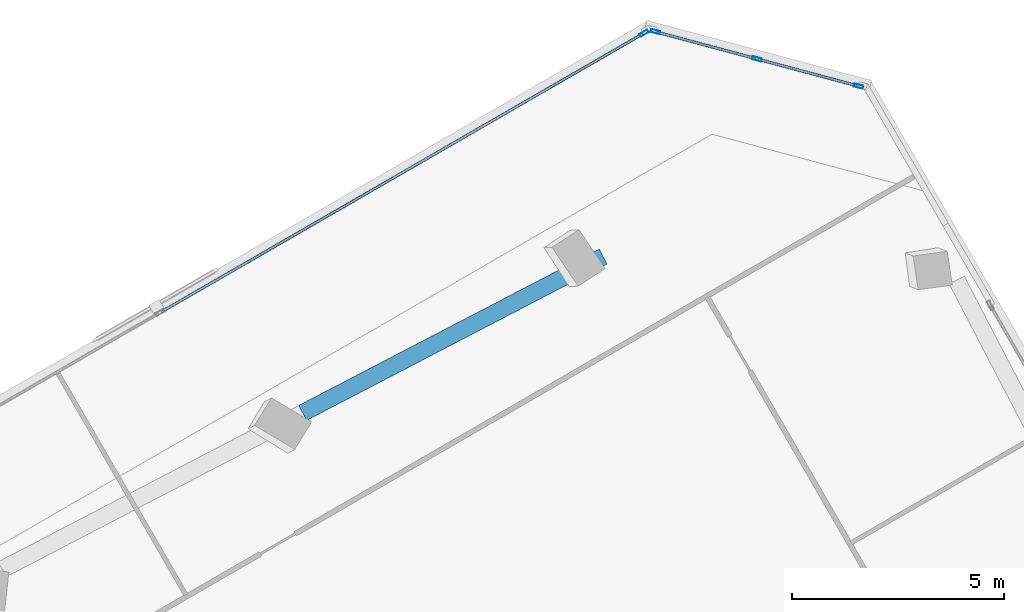
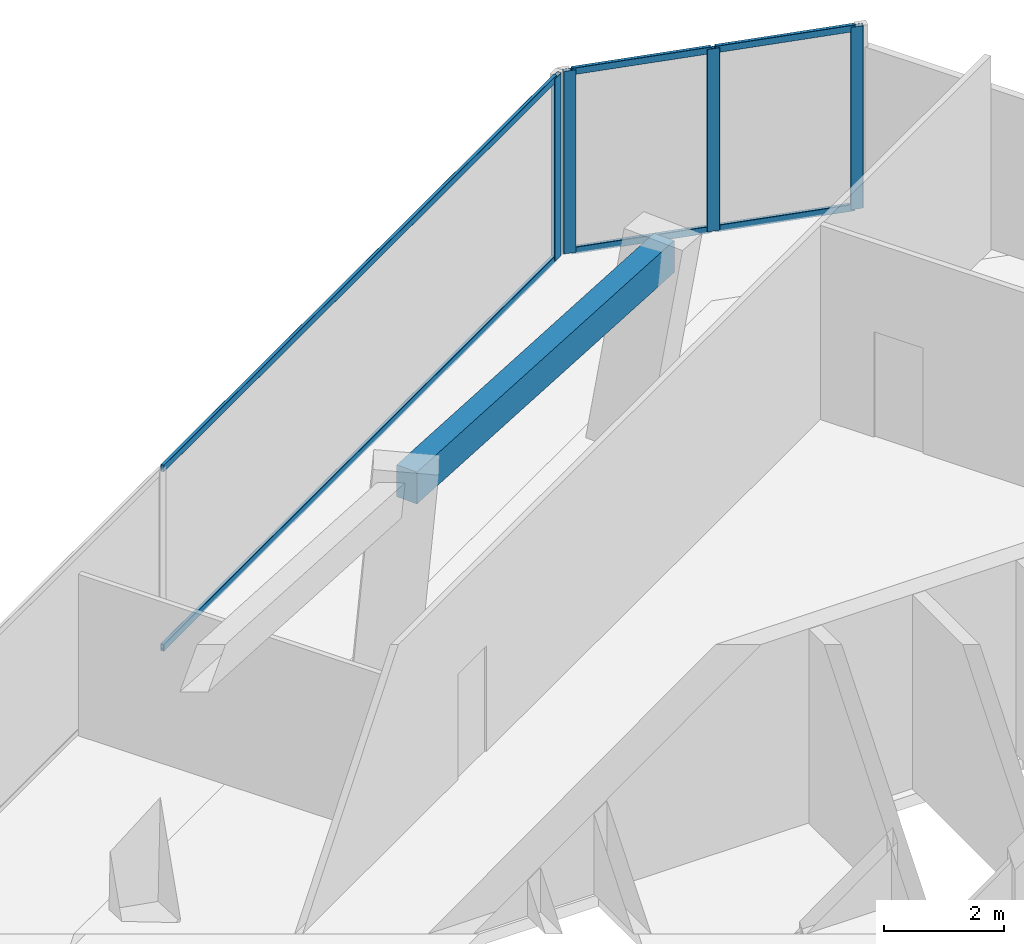
# One storey, part 8 of 15: 10 members, 1 beam, 2 elements without a shape of their own.
"""IFC4 building model written with IfcOpenShell, lengths in metres."""

from ifc_helpers import new_model, si_unit, direction, frame, origin, origin_2d, place, context, subcontext, project, spatial, rectangle, hollow_rectangle, extrude, source, transform, mapped, material, material_profile, profile_set, type_object, element, aggregate, save


model = new_model("IFC4")

# Units and contexts
model_context = context("Model", 3, precision=1e-05, world=origin(), true_north=direction((0.0, 1.0)))
body_context = subcontext(model_context, "Body", "Model", "MODEL_VIEW")
ifc_project = project(units=[si_unit("LENGTHUNIT", "METRE"), si_unit("AREAUNIT", "SQUARE_METRE"), si_unit("VOLUMEUNIT", "CUBIC_METRE"), si_unit("PLANEANGLEUNIT", "RADIAN"), si_unit("MASSUNIT", "GRAM", prefix="KILO")], contexts=[model_context])

# Site, building, storey
site_placement = place(None, origin())
site = spatial("IfcSite", under=ifc_project, at=site_placement, CompositionType="ELEMENT")
building_placement = place(site_placement, origin())
building = spatial("IfcBuilding", under=site, at=building_placement, Name="Torre Montelarca", CompositionType="ELEMENT")
storey_placement = place(building_placement, frame((0.0, 0.0, 324.0)))
storey = spatial("IfcBuildingStorey", under=building, at=storey_placement, Name="L73", CompositionType="ELEMENT", Elevation=324.0)

# Beam
ifc_material_1 = material(Name="Concrete C40/50", Category="concrete")
ifc_material_profile_1 = material_profile(ifc_material_1, rectangle(XDim=0.39990234375, YDim=0.64990234375, at=origin_2d()), Name="RCB400X650", Category="concrete")
ifc_profile_set_1 = profile_set([ifc_material_profile_1], Name="Concrete C40/50")
beam_type = type_object("IfcBeamType", Name="BM-SP-RC650-EXT", PredefinedType="SPANDREL", material=ifc_profile_set_1)
shared_shape_1 = source(origin(), body_context, "Body", "SweptSolid", [
    extrude(rectangle(XDim=0.39990234375, YDim=0.64990234375, at=origin_2d()), origin(), (0.0, 0.0, 1.0), 8.000244140625),
])
beam_placement = place(storey_placement, frame((13.719482421875, 46.946044921875, 3.635009765625), z_axis=(0.887008356996, 0.461753369906, 0.0), x_axis=(-0.461753369906, 0.887008356996, 0.0)))
element("IfcBeam", 1, at=beam_placement, inside=storey, type_object=beam_type, Name="L73 Grid Girder Y 32.0-40.0 at X=4.7", PredefinedType="SPANDREL", context=body_context, shape_type="MappedRepresentation", body=[
    mapped(shared_shape_1, transform((0.0, 0.0, 0.0), scale=1.0)),
])

# Curtain wall, members
ifc_material_2 = material(Name="Insulated low-E laminated glass", Category="glass")
curtain_wall_type = type_object("IfcCurtainWallType", Name="CW-SYS-Z4", PredefinedType="USERDEFINED", material=ifc_material_2)
curtain_wall_1_placement = place(storey_placement, origin())
curtain_wall_1 = element("IfcCurtainWall", 2, at=curtain_wall_1_placement, inside=storey, type_object=curtain_wall_type, Name="L73 Curtain Wall Run CW-T3-L73-E09-B1", ObjectType="UNITISED GLAZING", PredefinedType="USERDEFINED")
ifc_material_3 = material(Name="Anodised aluminium AA 6063-T6", Category="aluminium")
ifc_material_profile_2 = material_profile(ifc_material_3, hollow_rectangle(XDim=0.074951171875, YDim=0.219970703125, WallThickness=0.0048828125, InnerFilletRadius=0.0048828125, OuterFilletRadius=0.010009765625, at=origin_2d()), Name="ALU75X220X5", Category="aluminium")
ifc_profile_set_2 = profile_set([ifc_material_profile_2], Name="Anodised aluminium AA 6063-T6")
member_type_1 = type_object("IfcMemberType", Name="CWM-ALU220", PredefinedType="MULLION", material=ifc_profile_set_2)
shared_shape_2 = source(origin(), body_context, "Body", "SweptSolid", [
    extrude(hollow_rectangle(XDim=0.074951171875, YDim=0.219970703125, WallThickness=0.0048828125, InnerFilletRadius=0.0048828125, OuterFilletRadius=0.010009765625, at=origin_2d()), origin(), (0.0, 0.0, 1.0), 3.719970703125),
])
member_1_placement = place(storey_placement, frame((26.849365234375, 54.662841796875, 0.0), z_axis=(0.0, 0.0, 1.0), x_axis=(-0.258815391137, -0.965926805359, 0.0)))
member_1 = element("IfcMember", 3, at=member_1_placement, type_object=member_type_1, Name="CW mullion 1", PredefinedType="MULLION", context=body_context, shape_type="MappedRepresentation", body=[
    mapped(shared_shape_2, transform((0.0, 0.0, 0.0), scale=1.0)),
])
member_2_placement = place(storey_placement, frame((24.450439453125, 55.3056640625, 0.0), z_axis=(0.0, 0.0, 1.0), x_axis=(-0.258815391137, -0.965926805359, 0.0)))
member_2 = element("IfcMember", 4, at=member_2_placement, type_object=member_type_1, Name="CW mullion 2", PredefinedType="MULLION", context=body_context, shape_type="MappedRepresentation", body=[
    mapped(shared_shape_2, transform((0.0, 0.0, 0.0), scale=1.0)),
])
member_3_placement = place(storey_placement, frame((22.051513671875, 55.948486328125, 0.0), z_axis=(0.0, 0.0, 1.0), x_axis=(-0.258815391137, -0.965926805359, 0.0)))
member_3 = element("IfcMember", 5, at=member_3_placement, type_object=member_type_1, Name="CW mullion 3", PredefinedType="MULLION", context=body_context, shape_type="MappedRepresentation", body=[
    mapped(shared_shape_2, transform((0.0, 0.0, 0.0), scale=1.0)),
])

# Curtain wall, member
curtain_wall_2_placement = place(storey_placement, origin())
curtain_wall_2 = element("IfcCurtainWall", 6, at=curtain_wall_2_placement, inside=storey, type_object=curtain_wall_type, Name="L73 Curtain Wall Run CW-T3-L73-E10-B1", ObjectType="UNITISED GLAZING", PredefinedType="USERDEFINED")
member_4_placement = place(storey_placement, frame((21.777587890625, 55.912353515625, 0.0), z_axis=(0.0, 0.0, 1.0), x_axis=(0.500000111201, -0.866025339582, 0.0)))
member_4 = element("IfcMember", 7, at=member_4_placement, type_object=member_type_1, Name="CW mullion 1", PredefinedType="MULLION", context=body_context, shape_type="MappedRepresentation", body=[
    mapped(shared_shape_2, transform((0.0, 0.0, 0.0), scale=1.0)),
])

# Member
ifc_material_profile_3 = material_profile(ifc_material_3, hollow_rectangle(XDim=0.06494140625, YDim=0.139892578125, WallThickness=0.00390625, InnerFilletRadius=0.00390625, OuterFilletRadius=0.008056640625, at=origin_2d()), Name="ALU65X140X4", Category="aluminium")
ifc_profile_set_3 = profile_set([ifc_material_profile_3], Name="Anodised aluminium AA 6063-T6")
member_type_2 = type_object("IfcMemberType", Name="CWT-ALU140", PredefinedType="USERDEFINED", material=ifc_profile_set_3)
shared_shape_3 = source(origin(), body_context, "Body", "SweptSolid", [
    extrude(hollow_rectangle(XDim=0.06494140625, YDim=0.139892578125, WallThickness=0.00390625, InnerFilletRadius=0.00390625, OuterFilletRadius=0.008056640625, at=origin_2d()), origin(), (0.0, 0.0, 1.0), 2.40869140625),
])
member_5_placement = place(storey_placement, frame((24.414306640625, 55.3154296875, 0.032470703125), z_axis=(-0.965939908624, 0.258766483391, 0.0), x_axis=(-0.258766483391, -0.965939908624, 0.0)))
member_5 = element("IfcMember", 8, at=member_5_placement, type_object=member_type_2, Name="CW transom 2.1", ObjectType="TRANSOM", PredefinedType="USERDEFINED", context=body_context, shape_type="MappedRepresentation", body=[
    mapped(shared_shape_3, transform((0.0, 0.0, 0.0), scale=1.0)),
])

member_6_placement = place(storey_placement, frame((24.414306640625, 55.3154296875, 3.6875), z_axis=(-0.965939908624, 0.258766483391, 0.0), x_axis=(-0.258766483391, -0.965939908624, 0.0)))
member_6 = element("IfcMember", 9, at=member_6_placement, type_object=member_type_2, Name="CW transom 2.2", ObjectType="TRANSOM", PredefinedType="USERDEFINED", context=body_context, shape_type="MappedRepresentation", body=[
    mapped(shared_shape_3, transform((0.0, 0.0, 0.0), scale=1.0)),
])

shared_shape_4 = source(origin(), body_context, "Body", "SweptSolid", [
    extrude(hollow_rectangle(XDim=0.06494140625, YDim=0.139892578125, WallThickness=0.00390625, InnerFilletRadius=0.00390625, OuterFilletRadius=0.008056640625, at=origin_2d()), origin(), (0.0, 0.0, 1.0), 2.408447265625),
])
member_7_placement = place(storey_placement, frame((26.813232421875, 54.672607421875, 0.032470703125), z_axis=(-0.965933120699, 0.258791820458, 0.0), x_axis=(-0.258791820458, -0.965933120699, 0.0)))
member_7 = element("IfcMember", 10, at=member_7_placement, type_object=member_type_2, Name="CW transom 1.1", ObjectType="TRANSOM", PredefinedType="USERDEFINED", context=body_context, shape_type="MappedRepresentation", body=[
    mapped(shared_shape_4, transform((0.0, 0.0, 0.0), scale=1.0)),
])

member_8_placement = place(storey_placement, frame((26.813232421875, 54.672607421875, 3.6875), z_axis=(-0.965933120699, 0.258791820458, 0.0), x_axis=(-0.258791820458, -0.965933120699, 0.0)))
member_8 = element("IfcMember", 11, at=member_8_placement, type_object=member_type_2, Name="CW transom 1.2", ObjectType="TRANSOM", PredefinedType="USERDEFINED", context=body_context, shape_type="MappedRepresentation", body=[
    mapped(shared_shape_4, transform((0.0, 0.0, 0.0), scale=1.0)),
])

aggregate(curtain_wall_1, [member_1, member_2, member_3, member_7, member_8, member_5, member_6])

shared_shape_5 = source(origin(), body_context, "Body", "SweptSolid", [
    extrude(hollow_rectangle(XDim=0.06494140625, YDim=0.139892578125, WallThickness=0.00390625, InnerFilletRadius=0.00390625, OuterFilletRadius=0.008056640625, at=origin_2d()), origin(), (0.0, 0.0, 1.0), 13.121826171875),
])
member_9_placement = place(storey_placement, frame((21.7451171875, 55.893798828125, 0.032470703125), z_axis=(-0.866020131804, -0.500009131227, 0.0), x_axis=(0.500009131227, -0.866020131804, 0.0)))
member_9 = element("IfcMember", 12, at=member_9_placement, type_object=member_type_2, Name="CW transom 1.1", ObjectType="TRANSOM", PredefinedType="USERDEFINED", context=body_context, shape_type="MappedRepresentation", body=[
    mapped(shared_shape_5, transform((0.0, 0.0, 0.0), scale=1.0)),
])

member_10_placement = place(storey_placement, frame((21.7451171875, 55.893798828125, 3.6875), z_axis=(-0.866020131804, -0.500009131227, 0.0), x_axis=(0.500009131227, -0.866020131804, 0.0)))
member_10 = element("IfcMember", 13, at=member_10_placement, type_object=member_type_2, Name="CW transom 1.2", ObjectType="TRANSOM", PredefinedType="USERDEFINED", context=body_context, shape_type="MappedRepresentation", body=[
    mapped(shared_shape_5, transform((0.0, 0.0, 0.0), scale=1.0)),
])

aggregate(curtain_wall_2, [member_4, member_9, member_10])

save(model, "model.ifc")
